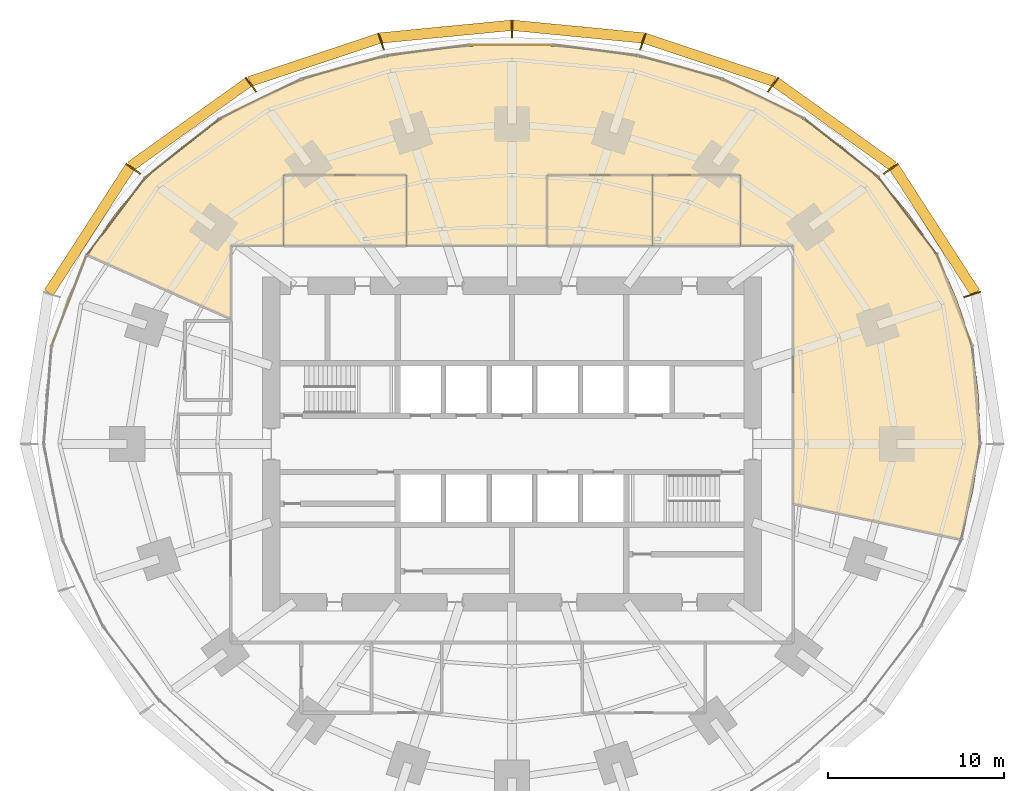
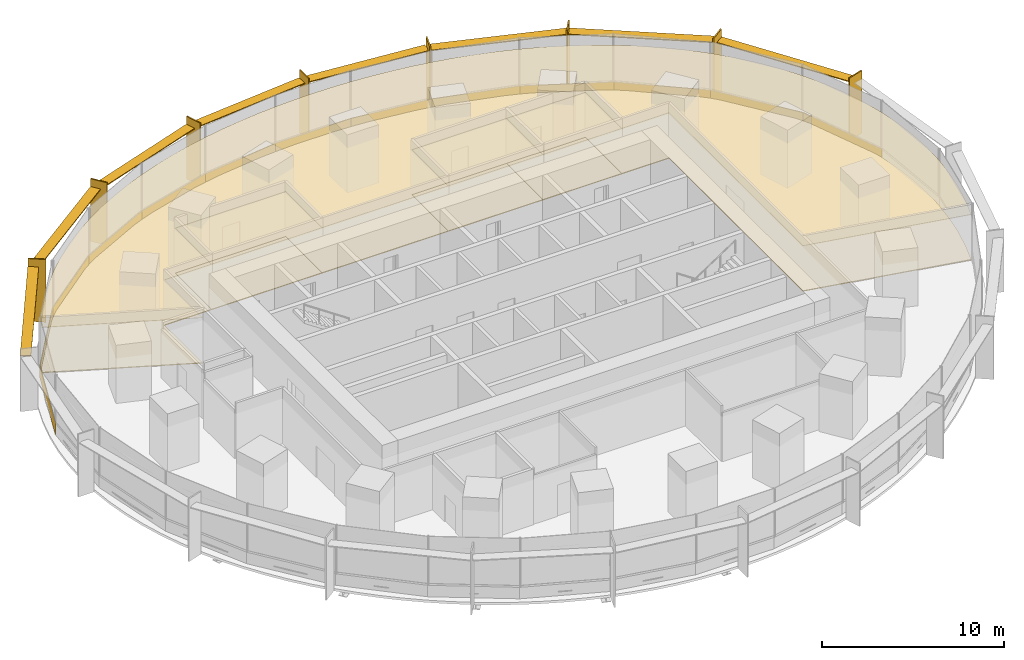
# One storey, part 15 of 15: 21 coverings, 16 shading devices.
"""IFC4 building model written with IfcOpenShell, lengths in metres."""

from ifc_helpers import new_model, si_unit, direction, frame, origin, origin_2d, place, context, subcontext, project, spatial, polyline, rectangle, outline, extrude, material, layer, layer_set, type_object, element, save


model = new_model("IFC4")

# Units and contexts
model_context = context("Model", 3, precision=1e-05, world=origin(), true_north=direction((0.0, 1.0)))
body_context = subcontext(model_context, "Body", "Model", "MODEL_VIEW")
ifc_project = project(units=[si_unit("LENGTHUNIT", "METRE"), si_unit("AREAUNIT", "SQUARE_METRE"), si_unit("VOLUMEUNIT", "CUBIC_METRE"), si_unit("PLANEANGLEUNIT", "RADIAN"), si_unit("MASSUNIT", "GRAM", prefix="KILO")], contexts=[model_context])

# Site, building, storey
site_placement = place(None, origin())
site = spatial("IfcSite", under=ifc_project, at=site_placement, CompositionType="ELEMENT")
building_placement = place(site_placement, origin())
building = spatial("IfcBuilding", under=site, at=building_placement, Name="Marramba Exchange Tower", CompositionType="ELEMENT")
storey_placement = place(building_placement, frame((0.0, 0.0, 32.199951171875)))
storey = spatial("IfcBuildingStorey", under=building, at=storey_placement, Name="L07", CompositionType="ELEMENT", Elevation=32.199951171875)

# Shading devices
ifc_material_1 = material(Name="Aluminium blade, timber-look bronze finish", Category="wood")
ifc_layer_1 = layer(ifc_material_1, 0.080078125)
ifc_layer_set_1 = layer_set([ifc_layer_1], Name="Floor-edge blade 1000x80")
shading_device_type_1 = type_object("IfcShadingDeviceType", Name="Floor-edge blade 1000x80", PredefinedType="USERDEFINED", material=ifc_layer_set_1)
for number, where, z_axis, x_axis, name in (
    (1, (26.193115234375, 8.5107421875, -0.16015625), (0.0, 0.0, 1.0), (0.951056516295, 0.309016994375, 0.0), "Floor-edge blade FB1 L07 TC02"),
    (2, (21.56298828125, 15.66650390625, -0.16015625), (0.0, 0.0, 1.0), (0.809016994375, 0.587785252292, 0.0), "Floor-edge blade FB1 L07 TC03"),
    (3, (14.857666015625, 20.449951171875, -0.16015625), (0.0, 0.0, 1.0), (0.587785252292, 0.809016994375, 0.0), "Floor-edge blade FB1 L07 TC04"),
    (4, (7.444091796875, 22.910888671875, -0.16015625), (0.0, 0.0, 1.0), (0.309016994375, 0.951056516295, 0.0), "Floor-edge blade FB1 L07 TC05"),
    (5, (0.0, 23.6279296875, -0.16015625), (0.0, 0.0, 1.0), (0.0, 1.0, 0.0), "Floor-edge blade FB1 L07 TC06"),
    (6, (-7.444091796875, 22.910888671875, -0.16015625), (0.0, 0.0, 1.0), (-0.309016994375, 0.951056516295, 0.0), "Floor-edge blade FB1 L07 TC07"),
    (7, (-14.857666015625, 20.449951171875, -0.16015625), (0.0, 0.0, 1.0), (-0.587785252292, 0.809016994375, 0.0), "Floor-edge blade FB1 L07 TC08"),
    (8, (-21.56298828125, 15.66650390625, -0.16015625), (0.0, 0.0, 1.0), (-0.809016994375, 0.587785252292, 0.0), "Floor-edge blade FB1 L07 TC09"),
):
    element("IfcShadingDevice", number, at=place(storey_placement, frame(where, z_axis=z_axis, x_axis=x_axis)), inside=storey, type_object=shading_device_type_1, Name=name, ObjectType="FIN", PredefinedType="USERDEFINED", context=body_context, shape_type="SweptSolid", body=[
        extrude(rectangle(XDim=1.0, YDim=0.080078125, at=origin_2d()), origin(), (0.0, 0.0, 1.0), 4.199951171875),
    ])

# Coverings
ifc_material_2 = material(Name="Steel raised access floor panels", Category="steel")
ifc_layer_2 = layer(ifc_material_2, 0.050048828125)
ifc_layer_set_2 = layer_set([ifc_layer_2], Name="Raised access floor 300")
covering_type_1 = type_object("IfcCoveringType", Name="Raised access floor 300", PredefinedType="FLOORING", material=ifc_layer_set_2)
covering_1_placement = place(storey_placement, frame((0.0, 0.0, 0.25)))
element("IfcCovering", 9, at=covering_1_placement, inside=storey, type_object=covering_type_1, Name="Raised access floor RAF1 L07 Trading Floor 1", PredefinedType="FLOORING", context=body_context, shape_type="SweptSolid", body=[
    extrude(outline(polyline([(13.0, 11.300048828125), (13.0, 15.300048828125), (8.0, 15.300048828125), (2.0, 15.300048828125), (2.0, 11.300048828125), (-6.0, 11.300048828125), (-6.0, 15.300048828125), (-13.0, 15.300048828125), (-13.0, 11.300048828125), (-16.0, 11.300048828125), (-16.0, 7.123779296875), (-24.12353515625, 10.740478515625), (-23.40380859375, 11.9248046875), (-22.607177734375, 13.05224609375), (-21.740478515625, 14.118408203125), (-20.810791015625, 15.119873046875), (-19.8251953125, 16.05419921875), (-18.791259765625, 16.919677734375), (-17.71630859375, 17.71630859375), (-16.60693359375, 18.44384765625), (-15.4697265625, 19.103759765625), (-14.31103515625, 19.697509765625), (-13.135986328125, 20.2275390625), (-11.94921875, 20.69677734375), (-10.755126953125, 21.10791015625), (-9.556640625, 21.464599609375), (-8.356689453125, 21.76953125), (-7.15673828125, 22.0263671875), (-5.95849609375, 22.23779296875), (-4.7626953125, 22.406982421875), (-3.5693359375, 22.535888671875), (-2.378173828125, 22.62646484375), (-1.188720703125, 22.68017578125), (0.0, 22.697998046875), (1.188720703125, 22.68017578125), (2.378173828125, 22.62646484375), (3.5693359375, 22.535888671875), (4.7626953125, 22.406982421875), (5.95849609375, 22.23779296875), (7.15673828125, 22.0263671875), (8.356689453125, 21.76953125), (9.556640625, 21.464599609375), (10.755126953125, 21.10791015625), (11.94921875, 20.69677734375), (13.135986328125, 20.2275390625), (14.31103515625, 19.697509765625), (15.4697265625, 19.103759765625), (16.60693359375, 18.44384765625), (17.71630859375, 17.71630859375), (18.791259765625, 16.919677734375), (19.8251953125, 16.05419921875), (20.810791015625, 15.119873046875), (21.740478515625, 14.118408203125), (22.607177734375, 13.05224609375), (23.40380859375, 11.9248046875), (24.12353515625, 10.740478515625), (24.76025390625, 9.50439453125), (25.30859375, 8.22314453125), (25.763916015625, 6.9033203125), (26.123291015625, 5.552734375), (26.3837890625, 4.1787109375), (26.544921875, 2.7900390625), (26.6064453125, 1.394287109375), (26.570068359375, 0.0), (26.43798828125, -1.385498046875), (26.213623046875, -2.755126953125), (25.9013671875, -4.102294921875), (25.50634765625, -5.421630859375), (16.0, -3.40087890625), (16.0, 11.300048828125), (13.0, 11.300048828125)])), origin(), (0.0, 0.0, 1.0), 0.050048828125),
])
covering_2_placement = place(storey_placement, frame((0.0, 0.0, 0.25)))
element("IfcCovering", 10, at=covering_2_placement, inside=storey, type_object=covering_type_1, Name="Raised access floor RAF1 L07 Meeting Room 1", PredefinedType="FLOORING", context=body_context, shape_type="SweptSolid", body=[
    extrude(outline(polyline([(8.0, 11.300048828125), (2.0, 11.300048828125), (2.0, 15.300048828125), (8.0, 15.300048828125), (8.0, 11.300048828125)])), origin(), (0.0, 0.0, 1.0), 0.050048828125),
])
covering_3_placement = place(storey_placement, frame((0.0, 0.0, 0.25)))
element("IfcCovering", 11, at=covering_3_placement, inside=storey, type_object=covering_type_1, Name="Raised access floor RAF1 L07 Data Room 1", PredefinedType="FLOORING", context=body_context, shape_type="SweptSolid", body=[
    extrude(outline(polyline([(13.0, 11.300048828125), (8.0, 11.300048828125), (8.0, 15.300048828125), (13.0, 15.300048828125), (13.0, 11.300048828125)])), origin(), (0.0, 0.0, 1.0), 0.050048828125),
])
covering_4_placement = place(storey_placement, frame((0.0, 0.0, 0.25)))
element("IfcCovering", 12, at=covering_4_placement, inside=storey, type_object=covering_type_1, Name="Raised access floor RAF1 L07 Meeting Room 2", PredefinedType="FLOORING", context=body_context, shape_type="SweptSolid", body=[
    extrude(outline(polyline([(-6.0, 11.300048828125), (-13.0, 11.300048828125), (-13.0, 15.300048828125), (-6.0, 15.300048828125), (-6.0, 11.300048828125)])), origin(), (0.0, 0.0, 1.0), 0.050048828125),
])

# Shading devices
ifc_material_3 = material(Name="Aluminium sunshade, bronze anodised", Category="aluminium")
ifc_layer_3 = layer(ifc_material_3, 0.06005859375)
ifc_layer_set_3 = layer_set([ifc_layer_3], Name="SUNSHADE blade 600x60")
shading_device_type_2 = type_object("IfcShadingDeviceType", Name="SUNSHADE blade 600x60", PredefinedType="USERDEFINED", material=ifc_layer_set_3)
shading_device_1_placement = place(storey_placement, frame((24.053955078125, 12.17822265625, 3.4599609375), z_axis=(0.0, 0.0, 1.0), x_axis=(-0.542596596948, 0.839993412462, 0.0)))
element("IfcShadingDevice", 13, at=shading_device_1_placement, inside=storey, type_object=shading_device_type_2, Name="Sunshade SS1 L07 bay 02", ObjectType="SUNSHADE", PredefinedType="USERDEFINED", context=body_context, shape_type="SweptSolid", body=[
    extrude(rectangle(XDim=8.50537109375, YDim=0.60009765625, at=origin_2d()), origin(), (0.0, 0.0, 1.0), 0.06005859375),
])
shading_device_2_placement = place(storey_placement, frame((18.35009765625, 18.19775390625, 3.4599609375), z_axis=(0.0, 0.0, 1.0), x_axis=(-0.813362978246, 0.581756534659, 0.0)))
element("IfcShadingDevice", 14, at=shading_device_2_placement, inside=storey, type_object=shading_device_type_2, Name="Sunshade SS1 L07 bay 03", ObjectType="SUNSHADE", PredefinedType="USERDEFINED", context=body_context, shape_type="SweptSolid", body=[
    extrude(rectangle(XDim=8.218505859375, YDim=0.60009765625, at=origin_2d()), origin(), (0.0, 0.0, 1.0), 0.06005859375),
])
shading_device_3_placement = place(storey_placement, frame((11.24072265625, 21.8564453125, 3.4599609375), z_axis=(0.0, 0.0, 1.0), x_axis=(-0.948697789537, 0.316184288235, 0.0)))
element("IfcShadingDevice", 15, at=shading_device_3_placement, inside=storey, type_object=shading_device_type_2, Name="Sunshade SS1 L07 bay 04", ObjectType="SUNSHADE", PredefinedType="USERDEFINED", context=body_context, shape_type="SweptSolid", body=[
    extrude(rectangle(XDim=7.793212890625, YDim=0.60009765625, at=origin_2d()), origin(), (0.0, 0.0, 1.0), 0.06005859375),
])
for number, where, z_axis, x_axis, name in (
    (16, (3.7529296875, 23.464599609375, 3.4599609375), (0.0, 0.0, 1.0), (-0.995342876176, 0.096397919302, 0.0), "Sunshade SS1 L07 bay 05"),
    (17, (-3.7529296875, 23.464599609375, 3.4599609375), (0.0, 0.0, 1.0), (-0.995342876176, -0.096397919302, 0.0), "Sunshade SS1 L07 bay 06"),
):
    element("IfcShadingDevice", number, at=place(storey_placement, frame(where, z_axis=z_axis, x_axis=x_axis)), inside=storey, type_object=shading_device_type_2, Name=name, ObjectType="SUNSHADE", PredefinedType="USERDEFINED", context=body_context, shape_type="SweptSolid", body=[
        extrude(rectangle(XDim=7.461181640625, YDim=0.60009765625, at=origin_2d()), origin(), (0.0, 0.0, 1.0), 0.06005859375),
    ])
shading_device_4_placement = place(storey_placement, frame((-11.24072265625, 21.8564453125, 3.4599609375), z_axis=(0.0, 0.0, 1.0), x_axis=(-0.948697789537, -0.316184288235, 0.0)))
element("IfcShadingDevice", 18, at=shading_device_4_placement, inside=storey, type_object=shading_device_type_2, Name="Sunshade SS1 L07 bay 07", ObjectType="SUNSHADE", PredefinedType="USERDEFINED", context=body_context, shape_type="SweptSolid", body=[
    extrude(rectangle(XDim=7.793212890625, YDim=0.60009765625, at=origin_2d()), origin(), (0.0, 0.0, 1.0), 0.06005859375),
])
shading_device_5_placement = place(storey_placement, frame((-18.35009765625, 18.19775390625, 3.4599609375), z_axis=(0.0, 0.0, 1.0), x_axis=(-0.813362978246, -0.581756534659, 0.0)))
element("IfcShadingDevice", 19, at=shading_device_5_placement, inside=storey, type_object=shading_device_type_2, Name="Sunshade SS1 L07 bay 08", ObjectType="SUNSHADE", PredefinedType="USERDEFINED", context=body_context, shape_type="SweptSolid", body=[
    extrude(rectangle(XDim=8.218505859375, YDim=0.60009765625, at=origin_2d()), origin(), (0.0, 0.0, 1.0), 0.06005859375),
])
shading_device_6_placement = place(storey_placement, frame((-24.053955078125, 12.17822265625, 3.4599609375), z_axis=(0.0, 0.0, 1.0), x_axis=(-0.542596596948, -0.839993412462, 0.0)))
element("IfcShadingDevice", 20, at=shading_device_6_placement, inside=storey, type_object=shading_device_type_2, Name="Sunshade SS1 L07 bay 09", ObjectType="SUNSHADE", PredefinedType="USERDEFINED", context=body_context, shape_type="SweptSolid", body=[
    extrude(rectangle(XDim=8.50537109375, YDim=0.60009765625, at=origin_2d()), origin(), (0.0, 0.0, 1.0), 0.06005859375),
])

# Coverings
ifc_material_4 = material(Name="Aluminium spandrel panel, bronze anodised, insulated", Category="aluminium")
ifc_layer_4 = layer(ifc_material_4, 0.050048828125)
ifc_layer_set_4 = layer_set([ifc_layer_4], Name="Spandrel panel 800")
covering_type_2 = type_object("IfcCoveringType", Name="Spandrel panel 800", PredefinedType="CLADDING", material=ifc_layer_set_4)
covering_5_placement = place(storey_placement, frame((25.198974609375, 8.171142578125, 0.0), z_axis=(0.0, 0.0, 1.0), x_axis=(-0.359525512701, 0.933135255854, 0.0)))
element("IfcCovering", 21, at=covering_5_placement, inside=storey, type_object=covering_type_2, Name="Spandrel panel SP1 L07 F02", PredefinedType="CLADDING", context=body_context, shape_type="SweptSolid", body=[
    extrude(rectangle(XDim=5.57666015625, YDim=0.050048828125, at=origin_2d()), origin(), (0.0, 0.0, 1.0), 0.800048828125),
])
covering_6_placement = place(storey_placement, frame((22.535888671875, 12.969970703125, 0.0), z_axis=(0.0, 0.0, 1.0), x_axis=(-0.602989761876, 0.797748924834, 0.0)))
element("IfcCovering", 22, at=covering_6_placement, inside=storey, type_object=covering_type_2, Name="Spandrel panel SP1 L07 F03", PredefinedType="CLADDING", context=body_context, shape_type="SweptSolid", body=[
    extrude(rectangle(XDim=5.5078125, YDim=0.050048828125, at=origin_2d()), origin(), (0.0, 0.0, 1.0), 0.800048828125),
])
covering_7_placement = place(storey_placement, frame((18.767822265625, 16.8349609375, 0.0), z_axis=(0.0, 0.0, 1.0), x_axis=(-0.784087946735, 0.620649733574, 0.0)))
element("IfcCovering", 23, at=covering_7_placement, inside=storey, type_object=covering_type_2, Name="Spandrel panel SP1 L07 F04", PredefinedType="CLADDING", context=body_context, shape_type="SweptSolid", body=[
    extrude(rectangle(XDim=5.375732421875, YDim=0.050048828125, at=origin_2d()), origin(), (0.0, 0.0, 1.0), 0.800048828125),
])
covering_8_placement = place(storey_placement, frame((14.324951171875, 19.634765625, 0.0), z_axis=(0.0, 0.0, 1.0), x_axis=(-0.899963432359, 0.435965389012, 0.0)))
element("IfcCovering", 24, at=covering_8_placement, inside=storey, type_object=covering_type_2, Name="Spandrel panel SP1 L07 F05", PredefinedType="CLADDING", context=body_context, shape_type="SweptSolid", body=[
    extrude(rectangle(XDim=5.1904296875, YDim=0.050048828125, at=origin_2d()), origin(), (0.0, 0.0, 1.0), 0.800048828125),
])
covering_9_placement = place(storey_placement, frame((9.58544921875, 21.434326171875, 0.0), z_axis=(0.0, 0.0, 1.0), x_axis=(-0.963472098411, 0.267808729475, 0.0)))
element("IfcCovering", 25, at=covering_9_placement, inside=storey, type_object=covering_type_2, Name="Spandrel panel SP1 L07 F06", PredefinedType="CLADDING", context=body_context, shape_type="SweptSolid", body=[
    extrude(rectangle(XDim=4.989990234375, YDim=0.050048828125, at=origin_2d()), origin(), (0.0, 0.0, 1.0), 0.800048828125),
])
covering_10_placement = place(storey_placement, frame((4.783935546875, 22.404296875, 0.0), z_axis=(0.0, 0.0, 1.0), x_axis=(-0.992172768222, 0.124872727203, 0.0)))
element("IfcCovering", 26, at=covering_10_placement, inside=storey, type_object=covering_type_2, Name="Spandrel panel SP1 L07 F07", PredefinedType="CLADDING", context=body_context, shape_type="SweptSolid", body=[
    extrude(rectangle(XDim=4.832763671875, YDim=0.050048828125, at=origin_2d()), origin(), (0.0, 0.0, 1.0), 0.800048828125),
])
covering_11_placement = place(storey_placement, frame((0.0, 22.7060546875, 0.0), z_axis=(0.0, 0.0, 1.0), x_axis=(-1.0, 0.0, 0.0)))
element("IfcCovering", 27, at=covering_11_placement, inside=storey, type_object=covering_type_2, Name="Spandrel panel SP1 L07 F08", PredefinedType="CLADDING", context=body_context, shape_type="SweptSolid", body=[
    extrude(rectangle(XDim=4.77294921875, YDim=0.050048828125, at=origin_2d()), origin(), (0.0, 0.0, 1.0), 0.800048828125),
])
covering_12_placement = place(storey_placement, frame((-4.783935546875, 22.404296875, 0.0), z_axis=(0.0, 0.0, 1.0), x_axis=(-0.992172768222, -0.124872727203, 0.0)))
element("IfcCovering", 28, at=covering_12_placement, inside=storey, type_object=covering_type_2, Name="Spandrel panel SP1 L07 F09", PredefinedType="CLADDING", context=body_context, shape_type="SweptSolid", body=[
    extrude(rectangle(XDim=4.832763671875, YDim=0.050048828125, at=origin_2d()), origin(), (0.0, 0.0, 1.0), 0.800048828125),
])
covering_13_placement = place(storey_placement, frame((-9.58544921875, 21.434326171875, 0.0), z_axis=(0.0, 0.0, 1.0), x_axis=(-0.963472098411, -0.267808729475, 0.0)))
element("IfcCovering", 29, at=covering_13_placement, inside=storey, type_object=covering_type_2, Name="Spandrel panel SP1 L07 F10", PredefinedType="CLADDING", context=body_context, shape_type="SweptSolid", body=[
    extrude(rectangle(XDim=4.989990234375, YDim=0.050048828125, at=origin_2d()), origin(), (0.0, 0.0, 1.0), 0.800048828125),
])
covering_14_placement = place(storey_placement, frame((-14.324951171875, 19.634765625, 0.0), z_axis=(0.0, 0.0, 1.0), x_axis=(-0.899963432359, -0.435965389012, 0.0)))
element("IfcCovering", 30, at=covering_14_placement, inside=storey, type_object=covering_type_2, Name="Spandrel panel SP1 L07 F11", PredefinedType="CLADDING", context=body_context, shape_type="SweptSolid", body=[
    extrude(rectangle(XDim=5.1904296875, YDim=0.050048828125, at=origin_2d()), origin(), (0.0, 0.0, 1.0), 0.800048828125),
])
covering_15_placement = place(storey_placement, frame((-18.767822265625, 16.8349609375, 0.0), z_axis=(0.0, 0.0, 1.0), x_axis=(-0.784087946735, -0.620649733574, 0.0)))
element("IfcCovering", 31, at=covering_15_placement, inside=storey, type_object=covering_type_2, Name="Spandrel panel SP1 L07 F12", PredefinedType="CLADDING", context=body_context, shape_type="SweptSolid", body=[
    extrude(rectangle(XDim=5.375732421875, YDim=0.050048828125, at=origin_2d()), origin(), (0.0, 0.0, 1.0), 0.800048828125),
])
covering_16_placement = place(storey_placement, frame((-22.535888671875, 12.969970703125, 0.0), z_axis=(0.0, 0.0, 1.0), x_axis=(-0.602989761876, -0.797748924834, 0.0)))
element("IfcCovering", 32, at=covering_16_placement, inside=storey, type_object=covering_type_2, Name="Spandrel panel SP1 L07 F13", PredefinedType="CLADDING", context=body_context, shape_type="SweptSolid", body=[
    extrude(rectangle(XDim=5.5078125, YDim=0.050048828125, at=origin_2d()), origin(), (0.0, 0.0, 1.0), 0.800048828125),
])
covering_17_placement = place(storey_placement, frame((-25.198974609375, 8.171142578125, 0.0), z_axis=(0.0, 0.0, 1.0), x_axis=(-0.359525512701, -0.933135255854, 0.0)))
element("IfcCovering", 33, at=covering_17_placement, inside=storey, type_object=covering_type_2, Name="Spandrel panel SP1 L07 F14", PredefinedType="CLADDING", context=body_context, shape_type="SweptSolid", body=[
    extrude(rectangle(XDim=5.57666015625, YDim=0.050048828125, at=origin_2d()), origin(), (0.0, 0.0, 1.0), 0.800048828125),
])
ifc_material_5 = material(Name="Mineral fibre ceiling tiles", Category="gypsum")
ifc_layer_5 = layer(ifc_material_5, 0.02001953125)
ifc_layer_set_5 = layer_set([ifc_layer_5], Name="Suspended ceiling 20")
covering_type_3 = type_object("IfcCoveringType", Name="Suspended ceiling 20", PredefinedType="CEILING", material=ifc_layer_set_5)
covering_18_placement = place(storey_placement, frame((0.0, 0.0, 3.300048828125)))
element("IfcCovering", 34, at=covering_18_placement, inside=storey, type_object=covering_type_3, Name="Ceiling CL1 L07 Trading Floor 1", PredefinedType="CEILING", context=body_context, shape_type="SweptSolid", body=[
    extrude(outline(polyline([(13.0, 11.300048828125), (13.0, 15.300048828125), (8.0, 15.300048828125), (2.0, 15.300048828125), (2.0, 11.300048828125), (-6.0, 11.300048828125), (-6.0, 15.300048828125), (-13.0, 15.300048828125), (-13.0, 11.300048828125), (-16.0, 11.300048828125), (-16.0, 7.123779296875), (-24.12353515625, 10.740478515625), (-23.40380859375, 11.9248046875), (-22.607177734375, 13.05224609375), (-21.740478515625, 14.118408203125), (-20.810791015625, 15.119873046875), (-19.8251953125, 16.05419921875), (-18.791259765625, 16.919677734375), (-17.71630859375, 17.71630859375), (-16.60693359375, 18.44384765625), (-15.4697265625, 19.103759765625), (-14.31103515625, 19.697509765625), (-13.135986328125, 20.2275390625), (-11.94921875, 20.69677734375), (-10.755126953125, 21.10791015625), (-9.556640625, 21.464599609375), (-8.356689453125, 21.76953125), (-7.15673828125, 22.0263671875), (-5.95849609375, 22.23779296875), (-4.7626953125, 22.406982421875), (-3.5693359375, 22.535888671875), (-2.378173828125, 22.62646484375), (-1.188720703125, 22.68017578125), (0.0, 22.697998046875), (1.188720703125, 22.68017578125), (2.378173828125, 22.62646484375), (3.5693359375, 22.535888671875), (4.7626953125, 22.406982421875), (5.95849609375, 22.23779296875), (7.15673828125, 22.0263671875), (8.356689453125, 21.76953125), (9.556640625, 21.464599609375), (10.755126953125, 21.10791015625), (11.94921875, 20.69677734375), (13.135986328125, 20.2275390625), (14.31103515625, 19.697509765625), (15.4697265625, 19.103759765625), (16.60693359375, 18.44384765625), (17.71630859375, 17.71630859375), (18.791259765625, 16.919677734375), (19.8251953125, 16.05419921875), (20.810791015625, 15.119873046875), (21.740478515625, 14.118408203125), (22.607177734375, 13.05224609375), (23.40380859375, 11.9248046875), (24.12353515625, 10.740478515625), (24.76025390625, 9.50439453125), (25.30859375, 8.22314453125), (25.763916015625, 6.9033203125), (26.123291015625, 5.552734375), (26.3837890625, 4.1787109375), (26.544921875, 2.7900390625), (26.6064453125, 1.394287109375), (26.570068359375, 0.0), (26.43798828125, -1.385498046875), (26.213623046875, -2.755126953125), (25.9013671875, -4.102294921875), (25.50634765625, -5.421630859375), (16.0, -3.40087890625), (16.0, 11.300048828125), (13.0, 11.300048828125)])), origin(), (0.0, 0.0, 1.0), 0.02001953125),
])
covering_19_placement = place(storey_placement, frame((0.0, 0.0, 3.300048828125)))
element("IfcCovering", 35, at=covering_19_placement, inside=storey, type_object=covering_type_3, Name="Ceiling CL1 L07 Meeting Room 1", PredefinedType="CEILING", context=body_context, shape_type="SweptSolid", body=[
    extrude(outline(polyline([(8.0, 11.300048828125), (2.0, 11.300048828125), (2.0, 15.300048828125), (8.0, 15.300048828125), (8.0, 11.300048828125)])), origin(), (0.0, 0.0, 1.0), 0.02001953125),
])
covering_20_placement = place(storey_placement, frame((0.0, 0.0, 3.300048828125)))
element("IfcCovering", 36, at=covering_20_placement, inside=storey, type_object=covering_type_3, Name="Ceiling CL1 L07 Data Room 1", PredefinedType="CEILING", context=body_context, shape_type="SweptSolid", body=[
    extrude(outline(polyline([(13.0, 11.300048828125), (8.0, 11.300048828125), (8.0, 15.300048828125), (13.0, 15.300048828125), (13.0, 11.300048828125)])), origin(), (0.0, 0.0, 1.0), 0.02001953125),
])
covering_21_placement = place(storey_placement, frame((0.0, 0.0, 3.300048828125)))
element("IfcCovering", 37, at=covering_21_placement, inside=storey, type_object=covering_type_3, Name="Ceiling CL1 L07 Meeting Room 2", PredefinedType="CEILING", context=body_context, shape_type="SweptSolid", body=[
    extrude(outline(polyline([(-6.0, 11.300048828125), (-13.0, 11.300048828125), (-13.0, 15.300048828125), (-6.0, 15.300048828125), (-6.0, 11.300048828125)])), origin(), (0.0, 0.0, 1.0), 0.02001953125),
])

save(model, "model.ifc")
